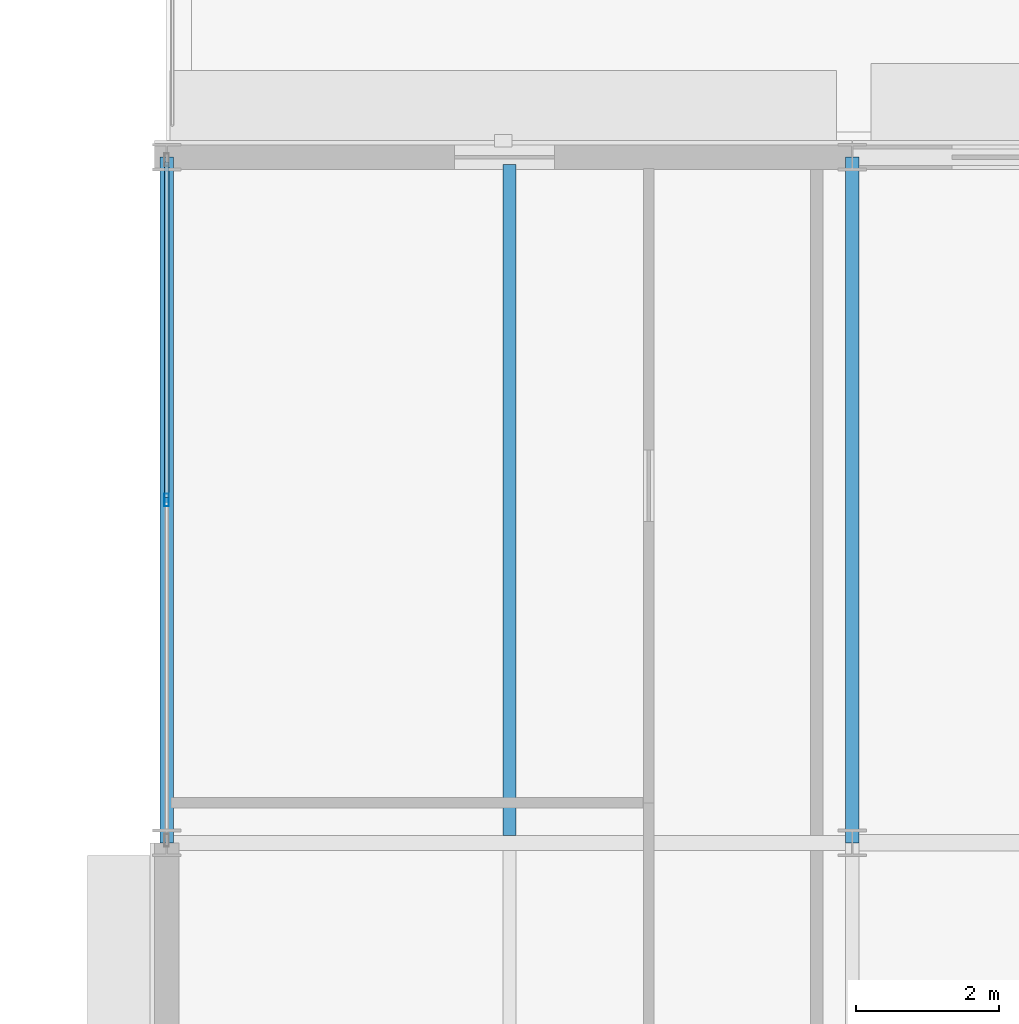
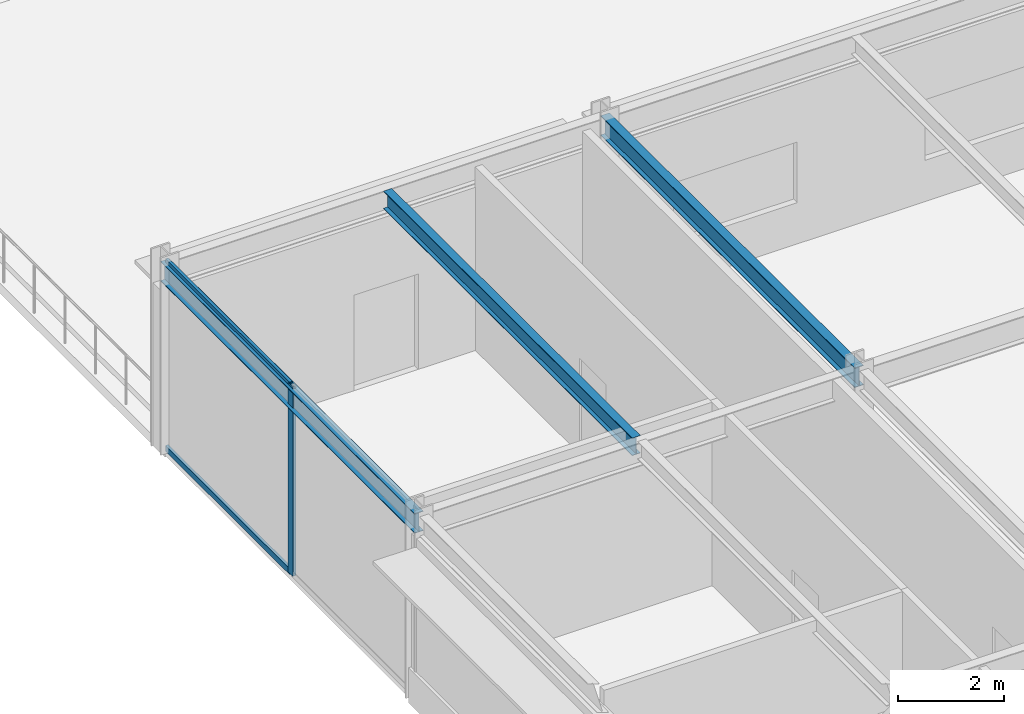
# One storey, part 104 of 157: 3 beams, 3 members, 1 element without a shape of its own.
"""IFC4 building model written with IfcOpenShell, lengths in metres."""

from ifc_helpers import new_model, si_unit, direction, frame, origin, origin_2d, place, context, subcontext, project, spatial, hollow_rectangle, i_section, extrude, material, material_profile, profile_set, type_object, element, aggregate, save


model = new_model("IFC4")

# Units and contexts
model_context = context("Model", 3, precision=1e-05, world=origin(), true_north=direction((0.0, 1.0)))
body_context = subcontext(model_context, "Body", "Model", "MODEL_VIEW")
ifc_project = project(units=[si_unit("LENGTHUNIT", "METRE"), si_unit("AREAUNIT", "SQUARE_METRE"), si_unit("VOLUMEUNIT", "CUBIC_METRE"), si_unit("PLANEANGLEUNIT", "RADIAN"), si_unit("MASSUNIT", "GRAM", prefix="KILO")], contexts=[model_context])

# Site, building, storey
site_placement = place(None, origin())
site = spatial("IfcSite", under=ifc_project, at=site_placement, CompositionType="ELEMENT")
building_placement = place(site_placement, origin())
building = spatial("IfcBuilding", under=site, at=building_placement, Name="Almandine Court Research Institute", CompositionType="ELEMENT")
storey_placement = place(building_placement, frame((0.0, 0.0, 5.25)))
storey = spatial("IfcBuildingStorey", under=building, at=storey_placement, Name="L01", CompositionType="ELEMENT", Elevation=5.25)

# Beams
ifc_material_1 = material(Name="Steel ASTM A992 Grade 50", Category="steel")
ifc_material_profile_1 = material_profile(ifc_material_1, i_section(OverallWidth=0.18994140625, OverallDepth=0.45703125, WebThickness=0.009033203125, FlangeThickness=0.014892578125, at=origin_2d()), Name="W460x74")
ifc_profile_set_1 = profile_set([ifc_material_profile_1], Name="Steel ASTM A992 Grade 50")
beam_type_1 = type_object("IfcBeamType", Name="Beam-B-01", PredefinedType="BEAM", material=ifc_profile_set_1)
for number, where, z_axis, x_axis, name in (
    (1, (153.60009765625, 93.60009765625, 4.093994140625), (0.0, 1.0, 0.0), (-1.0, 0.0, 0.0), "L01 V4 Primary Y Girder"),
    (2, (163.199951171875, 93.60009765625, 4.093994140625), (0.0, 1.0, 0.0), (-1.0, 0.0, 0.0), "L01 V4 Primary Y Girder"),
):
    element("IfcBeam", number, at=place(storey_placement, frame(where, z_axis=z_axis, x_axis=x_axis)), inside=storey, type_object=beam_type_1, Name=name, PredefinedType="BEAM", context=body_context, shape_type="SweptSolid", body=[
        extrude(i_section(OverallWidth=0.18994140625, OverallDepth=0.45703125, WebThickness=0.009033203125, FlangeThickness=0.014892578125, at=origin_2d()), origin(), (0.0, 0.0, 1.0), 9.599853515625),
    ])
ifc_material_profile_2 = material_profile(ifc_material_1, i_section(OverallWidth=0.178955078125, OverallDepth=0.409912109375, WebThickness=0.009033203125, FlangeThickness=0.013916015625, at=origin_2d()), Name="W410x67")
ifc_profile_set_2 = profile_set([ifc_material_profile_2], Name="Steel ASTM A992 Grade 50")
beam_type_2 = type_object("IfcBeamType", Name="Beam-B-02", PredefinedType="JOIST", material=ifc_profile_set_2)
beam_placement = place(storey_placement, frame((158.39990234375, 93.702880859375, 4.117919921875), z_axis=(0.0, 1.0, 0.0), x_axis=(-1.0, 0.0, 0.0)))
element("IfcBeam", 3, at=beam_placement, inside=storey, type_object=beam_type_2, Name="L01 V4 Composite Secondary Beam", PredefinedType="JOIST", context=body_context, shape_type="SweptSolid", body=[
    extrude(i_section(OverallWidth=0.178955078125, OverallDepth=0.409912109375, WebThickness=0.009033203125, FlangeThickness=0.013916015625, at=origin_2d()), origin(), (0.0, 0.0, 1.0), 9.39404296875),
])

# Curtain wall, members
ifc_material_2 = material(Name="Unitised Curtain Wall Framing and Solar Glazing", Category="glass")
curtain_wall_type = type_object("IfcCurtainWallType", Name="CW-CWJ-02", PredefinedType="USERDEFINED", material=ifc_material_2)
curtain_wall_placement = place(storey_placement, origin())
curtain_wall = element("IfcCurtainWall", 4, at=curtain_wall_placement, inside=storey, type_object=curtain_wall_type, Name="L01 Wet Lab West Courtyard Jali Curtain Wall 9", ObjectType="SOLAR JALI SCREEN", PredefinedType="USERDEFINED")
ifc_material_3 = material(Name="Anodised Aluminium AW-6063-T6", Category="aluminium")
ifc_material_profile_3 = material_profile(ifc_material_3, hollow_rectangle(XDim=0.06494140625, YDim=0.179931640625, WallThickness=0.00390625, at=origin_2d()), Name="ALU RHS 65x180x4")
ifc_profile_set_3 = profile_set([ifc_material_profile_3], Name="Anodised Aluminium AW-6063-T6")
member_type_1 = type_object("IfcMemberType", Name="CWMul-65x180", PredefinedType="MULLION", material=ifc_profile_set_3)
member_1_placement = place(storey_placement, frame((153.60009765625, 98.39990234375, 0.0), z_axis=(0.0, 0.0, 1.0), x_axis=(-1.0, 0.0, 0.0)))
member_1 = element("IfcMember", 5, at=member_1_placement, type_object=member_type_1, Name="CWJ-02 mullion 2", PredefinedType="MULLION", context=body_context, shape_type="SweptSolid", body=[
    extrude(hollow_rectangle(XDim=0.06494140625, YDim=0.179931640625, WallThickness=0.00390625, at=origin_2d()), origin(), (0.0, 0.0, 1.0), 4.3701171875),
])
ifc_material_profile_4 = material_profile(ifc_material_3, hollow_rectangle(XDim=0.06494140625, YDim=0.1298828125, WallThickness=0.00390625, at=origin_2d()), Name="ALU RHS 65x130x4")
ifc_profile_set_4 = profile_set([ifc_material_profile_4], Name="Anodised Aluminium AW-6063-T6")
member_type_2 = type_object("IfcMemberType", Name="CWTrn-65x130", PredefinedType="NOTDEFINED", material=ifc_profile_set_4)
member_2_placement = place(storey_placement, frame((153.60009765625, 98.4326171875, 0.032470703125), z_axis=(0.0, 1.0, 0.0), x_axis=(-1.0, 0.0, 0.0)))
member_2 = element("IfcMember", 6, at=member_2_placement, type_object=member_type_2, Name="CWJ-02 transom 2.1", ObjectType="TRANSOM", PredefinedType="USERDEFINED", context=body_context, shape_type="SweptSolid", body=[
    extrude(hollow_rectangle(XDim=0.06494140625, YDim=0.1298828125, WallThickness=0.00390625, at=origin_2d()), origin(), (0.0, 0.0, 1.0), 4.698486328125),
])
member_3_placement = place(storey_placement, frame((153.60009765625, 98.4326171875, 4.33740234375), z_axis=(0.0, 1.0, 0.0), x_axis=(-1.0, 0.0, 0.0)))
member_3 = element("IfcMember", 7, at=member_3_placement, type_object=member_type_2, Name="CWJ-02 transom 2.2", ObjectType="TRANSOM", PredefinedType="USERDEFINED", context=body_context, shape_type="SweptSolid", body=[
    extrude(hollow_rectangle(XDim=0.06494140625, YDim=0.1298828125, WallThickness=0.00390625, at=origin_2d()), origin(), (0.0, 0.0, 1.0), 4.698486328125),
])
aggregate(curtain_wall, [member_1, member_2, member_3])

save(model, "model.ifc")
